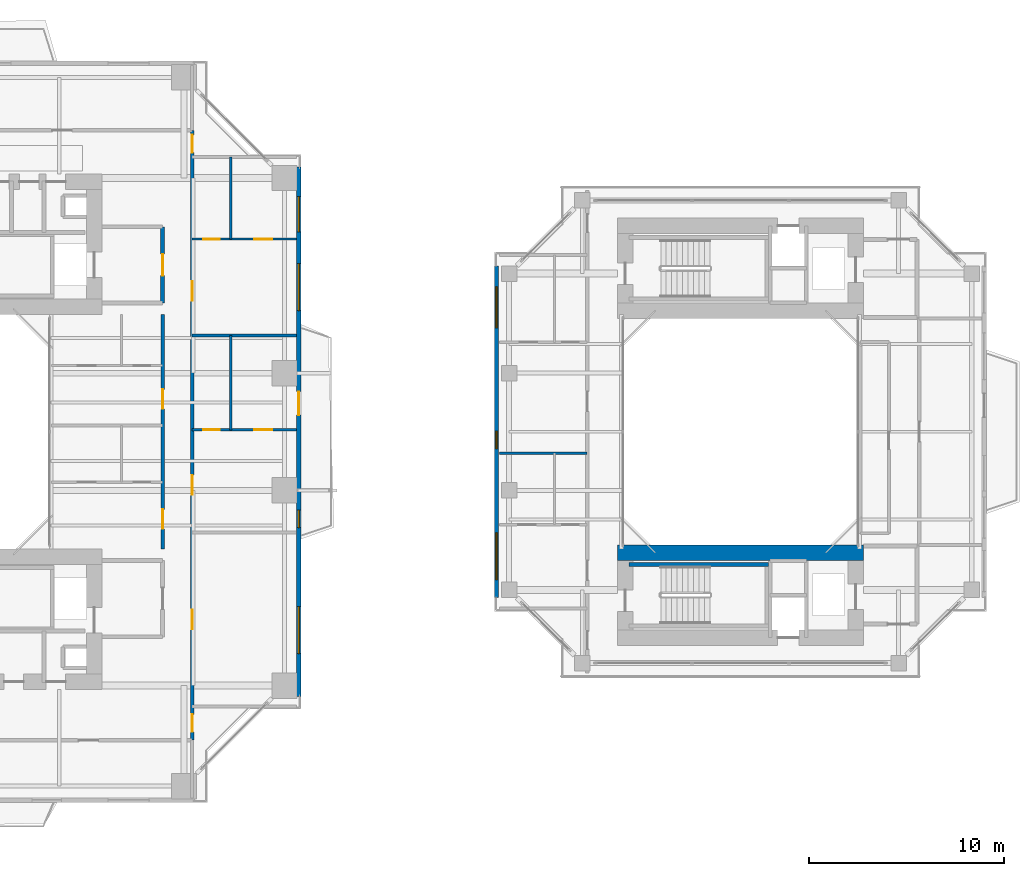
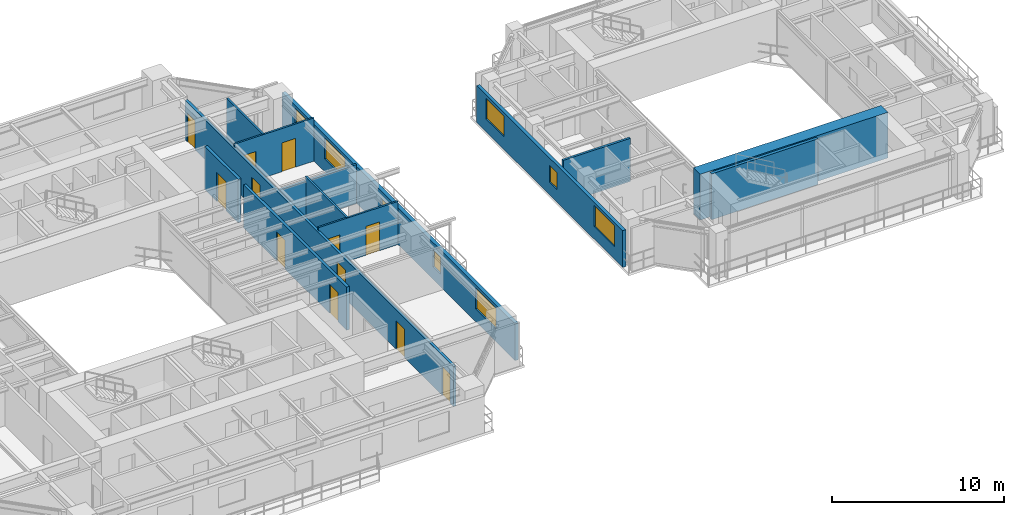
# One storey, part 16 of 23: 13 doors, 13 walls, 7 windows, 20 openings.
"""IFC4 building model written with IfcOpenShell, lengths in metres."""

from ifc_helpers import new_model, si_unit, direction, frame, frame_2d, origin, place, context, subcontext, project, spatial, rectangle, extrude, source, transform, mapped, material, layer, layer_set, type_object, element, fill, save


model = new_model("IFC4")

# Units and contexts
model_context = context("Model", 3, precision=1e-05, world=origin(), true_north=direction((0.0, 1.0)))
body_context = subcontext(model_context, "Body", "Model", "MODEL_VIEW")
ifc_project = project(units=[si_unit("LENGTHUNIT", "METRE"), si_unit("AREAUNIT", "SQUARE_METRE"), si_unit("VOLUMEUNIT", "CUBIC_METRE"), si_unit("PLANEANGLEUNIT", "RADIAN"), si_unit("MASSUNIT", "GRAM", prefix="KILO"), si_unit("THERMODYNAMICTEMPERATUREUNIT", "KELVIN"), si_unit("POWERUNIT", "WATT")], contexts=[model_context])

# Site, building, storey
site_placement = place(None, origin())
site = spatial("IfcSite", under=ifc_project, at=site_placement, CompositionType="ELEMENT")
building_placement = place(site_placement, origin())
building = spatial("IfcBuilding", under=site, at=building_placement, Name="Qiaomeng Ring Towers", CompositionType="ELEMENT")
storey_placement = place(building_placement, frame((0.0, 0.0, 79.5)))
storey = spatial("IfcBuildingStorey", under=building, at=storey_placement, Name="L22", CompositionType="ELEMENT", Elevation=79.5)

# Wall, openings, windows, door
ifc_material_1 = material(Name="Precast concrete C40", Category="concrete")
ifc_layer_1 = layer(ifc_material_1, 0.25, Name="Precast concrete C40")
ifc_layer_set_1 = layer_set([ifc_layer_1], Name="Precast concrete C40")
wall_type_1 = type_object("IfcWallType", Name="ARC-WL-EW1", PredefinedType="STANDARD", material=ifc_layer_set_1)
wall_1_placement = place(storey_placement, frame((37.875, 9.449951171875, 0.0), z_axis=(0.0, 0.0, 1.0), x_axis=(0.0, 1.0, 0.0)))
wall_1 = element("IfcWall", 1, at=wall_1_placement, inside=storey, type_object=wall_type_1, Name="L22 Tower 1 E Exterior Wall", PredefinedType="STANDARD", context=body_context, shape_type="SweptSolid", body=[
    extrude(rectangle(XDim=27.10009765625, YDim=0.25, at=frame_2d((13.550048828125, 0.0))), origin(), (0.0, 0.0, 1.0), 2.610107421875),
])
opening_1_placement = place(wall_1_placement, frame((14.39990234375, 0.0, 0.0)))
opening_1 = element("IfcOpeningElement", 2, at=opening_1_placement, cuts=wall_1, Name="Opening BD1", PredefinedType="OPENING", context=body_context, shape_type="SweptSolid", body=[
    extrude(rectangle(XDim=1.199951171875, YDim=2.10009765625, at=frame_2d((0.60009765625, 1.050048828125))), frame((0.0, 0.135009765625, 0.0), z_axis=(0.0, -1.0, 0.0), x_axis=(1.0, 0.0, 0.0)), (0.0, 0.0, 1.0), 0.27001953125),
])
opening_2_placement = place(wall_1_placement, frame((2.18798828125, 0.0, 0.89990234375)))
opening_2 = element("IfcOpeningElement", 3, at=opening_2_placement, cuts=wall_1, Name="Opening WN6", PredefinedType="OPENING", context=body_context, shape_type="SweptSolid", body=[
    extrude(rectangle(XDim=2.39990234375, YDim=1.47998046875, at=frame_2d((1.199951171875, 0.739990234375))), frame((0.0, 0.135009765625, 0.0), z_axis=(0.0, -1.0, 0.0), x_axis=(1.0, 0.0, 0.0)), (0.0, 0.0, 1.0), 0.27001953125),
])
opening_3_placement = place(wall_1_placement, frame((23.78759765625, 0.0, 0.89990234375)))
opening_3 = element("IfcOpeningElement", 4, at=opening_3_placement, cuts=wall_1, Name="Opening WN1", PredefinedType="OPENING", context=body_context, shape_type="SweptSolid", body=[
    extrude(rectangle(XDim=1.800048828125, YDim=1.5, at=frame_2d((0.89990234375, 0.75))), frame((0.0, 0.135009765625, 0.0), z_axis=(0.0, -1.0, 0.0), x_axis=(1.0, 0.0, 0.0)), (0.0, 0.0, 1.0), 0.27001953125),
])
opening_4_placement = place(wall_1_placement, frame((19.757568359375, 0.0, 0.89990234375)))
opening_4 = element("IfcOpeningElement", 5, at=opening_4_placement, cuts=wall_1, Name="Opening WN6", PredefinedType="OPENING", context=body_context, shape_type="SweptSolid", body=[
    extrude(rectangle(XDim=2.39990234375, YDim=1.5, at=frame_2d((1.199951171875, 0.75))), frame((0.0, 0.135009765625, 0.0), z_axis=(0.0, -1.0, 0.0), x_axis=(1.0, 0.0, 0.0)), (0.0, 0.0, 1.0), 0.27001953125),
])
opening_5_placement = place(wall_1_placement, frame((8.635009765625, 0.0, 0.89990234375)))
opening_5 = element("IfcOpeningElement", 6, at=opening_5_placement, cuts=wall_1, Name="Opening WN5", PredefinedType="OPENING", context=body_context, shape_type="SweptSolid", body=[
    extrude(rectangle(XDim=0.89990234375, YDim=1.199951171875, at=frame_2d((0.449951171875, 0.60009765625))), frame((0.0, 0.135009765625, 0.0), z_axis=(0.0, -1.0, 0.0), x_axis=(1.0, 0.0, 0.0)), (0.0, 0.0, 1.0), 0.27001953125),
])
ifc_material_2 = material(Name="Low-E dark-grey laminated double glazing", Category="glass")
window_type_1 = type_object("IfcWindowType", Name="ARC-WN-6", PartitioningType="TRIPLE_PANEL_VERTICAL", PredefinedType="WINDOW", material=ifc_material_2)
shared_shape_1 = source(origin(), body_context, "Body", "SweptSolid", [
    extrude(rectangle(XDim=2.39990234375, YDim=1.47998046875, at=frame_2d((1.199951171875, 0.739990234375))), frame((0.0, 0.030029296875, 0.0), z_axis=(0.0, -1.0, 0.0), x_axis=(1.0, 0.0, 0.0)), (0.0, 0.0, 1.0), 0.06005859375),
])
window_1_placement = place(opening_2_placement, origin())
window_1 = element("IfcWindow", 7, at=window_1_placement, inside=storey, type_object=window_type_1, Name="L22 Exterior Window WN6", OverallHeight=1.47998046875, OverallWidth=2.39990234375, PartitioningType="TRIPLE_PANEL_VERTICAL", PredefinedType="WINDOW", context=body_context, shape_type="MappedRepresentation", body=[
    mapped(shared_shape_1, transform((0.0, 0.0, 0.0), x_axis=(1.0, 0.0, 0.0), y_axis=(0.0, 1.0, 0.0), z_axis=(0.0, 0.0, 1.0), scale=1.0)),
])
fill(opening_2, window_1)
door_type_1 = type_object("IfcDoorType", Name="ARC-DR-BD1", OperationType="NOTDEFINED", PredefinedType="DOOR", material=ifc_material_2)
shared_shape_2 = source(origin(), body_context, "Body", "SweptSolid", [
    extrude(rectangle(XDim=1.199951171875, YDim=2.10009765625, at=frame_2d((0.60009765625, 1.050048828125))), frame((0.0, 0.02490234375, 0.0), z_axis=(0.0, -1.0, 0.0), x_axis=(1.0, 0.0, 0.0)), (0.0, 0.0, 1.0), 0.050048828125),
])
door_1_placement = place(opening_1_placement, origin())
door_1 = element("IfcDoor", 8, at=door_1_placement, inside=storey, type_object=door_type_1, Name="L22 E Balcony Glazed Door", OperationType="SINGLE_SWING_LEFT", OverallHeight=2.10009765625, OverallWidth=1.199951171875, PredefinedType="DOOR", context=body_context, shape_type="MappedRepresentation", body=[
    mapped(shared_shape_2, transform((0.0, 0.0, 0.0), x_axis=(1.0, 0.0, 0.0), y_axis=(0.0, 1.0, 0.0), z_axis=(0.0, 0.0, 1.0), scale=1.0)),
])
fill(opening_1, door_1)
shared_shape_3 = source(origin(), body_context, "Body", "SweptSolid", [
    extrude(rectangle(XDim=2.39990234375, YDim=1.5, at=frame_2d((1.199951171875, 0.75))), frame((0.0, 0.030029296875, 0.0), z_axis=(0.0, -1.0, 0.0), x_axis=(1.0, 0.0, 0.0)), (0.0, 0.0, 1.0), 0.06005859375),
])
window_2_placement = place(opening_4_placement, origin())
window_2 = element("IfcWindow", 9, at=window_2_placement, inside=storey, type_object=window_type_1, Name="L22 Exterior Window WN6", OverallHeight=1.5, OverallWidth=2.39990234375, PartitioningType="TRIPLE_PANEL_VERTICAL", PredefinedType="WINDOW", context=body_context, shape_type="MappedRepresentation", body=[
    mapped(shared_shape_3, transform((0.0, 0.0, 0.0), x_axis=(1.0, 0.0, 0.0), y_axis=(0.0, 1.0, 0.0), z_axis=(0.0, 0.0, 1.0), scale=1.0)),
])
fill(opening_4, window_2)
window_type_2 = type_object("IfcWindowType", Name="ARC-WN-1", PartitioningType="DOUBLE_PANEL_VERTICAL", PredefinedType="WINDOW", material=ifc_material_2)
shared_shape_4 = source(origin(), body_context, "Body", "SweptSolid", [
    extrude(rectangle(XDim=1.800048828125, YDim=1.5, at=frame_2d((0.89990234375, 0.75))), frame((0.0, 0.030029296875, 0.0), z_axis=(0.0, -1.0, 0.0), x_axis=(1.0, 0.0, 0.0)), (0.0, 0.0, 1.0), 0.06005859375),
])
window_3_placement = place(opening_3_placement, origin())
window_3 = element("IfcWindow", 10, at=window_3_placement, inside=storey, type_object=window_type_2, Name="L22 Exterior Window WN4", OverallHeight=1.5, OverallWidth=1.800048828125, PartitioningType="TRIPLE_PANEL_VERTICAL", PredefinedType="WINDOW", context=body_context, shape_type="MappedRepresentation", body=[
    mapped(shared_shape_4, transform((0.0, 0.0, 0.0), x_axis=(1.0, 0.0, 0.0), y_axis=(0.0, 1.0, 0.0), z_axis=(0.0, 0.0, 1.0), scale=1.0)),
])
fill(opening_3, window_3)
window_type_3 = type_object("IfcWindowType", Name="ARC-WN-5", PartitioningType="SINGLE_PANEL", PredefinedType="WINDOW", material=ifc_material_2)
shared_shape_5 = source(origin(), body_context, "Body", "SweptSolid", [
    extrude(rectangle(XDim=0.89990234375, YDim=1.199951171875, at=frame_2d((0.449951171875, 0.60009765625))), frame((0.0, 0.030029296875, 0.0), z_axis=(0.0, -1.0, 0.0), x_axis=(1.0, 0.0, 0.0)), (0.0, 0.0, 1.0), 0.06005859375),
])
window_4_placement = place(opening_5_placement, origin())
window_4 = element("IfcWindow", 11, at=window_4_placement, inside=storey, type_object=window_type_3, Name="L22 Exterior Window WN5", OverallHeight=1.199951171875, OverallWidth=0.89990234375, PartitioningType="SINGLE_PANEL", PredefinedType="WINDOW", context=body_context, shape_type="MappedRepresentation", body=[
    mapped(shared_shape_5, transform((0.0, 0.0, 0.0), x_axis=(1.0, 0.0, 0.0), y_axis=(0.0, 1.0, 0.0), z_axis=(0.0, 0.0, 1.0), scale=1.0)),
])
fill(opening_5, window_4)

# Wall, openings, windows
ifc_layer_2 = layer(ifc_material_1, 0.219970703125, Name="Precast concrete C40")
ifc_layer_set_2 = layer_set([ifc_layer_2], Name="Precast concrete C40")
wall_type_2 = type_object("IfcWallType", Name="ARC-WL-EW2", PredefinedType="STANDARD", material=ifc_layer_set_2)
wall_2_placement = place(storey_placement, frame((48.010009765625, 14.5, 0.0), z_axis=(0.0, 0.0, 1.0), x_axis=(0.0, 1.0, 0.0)))
wall_2 = element("IfcWall", 12, at=wall_2_placement, inside=storey, type_object=wall_type_2, Name="L22 Companion West Wall", PredefinedType="STANDARD", context=body_context, shape_type="SweptSolid", body=[
    extrude(rectangle(XDim=17.0, YDim=0.219970703125, at=frame_2d((8.5, 0.0))), origin(), (0.0, 0.0, 1.0), 2.610107421875),
])
opening_6_placement = place(wall_2_placement, frame((0.925048828125, 0.0, 0.89990234375)))
opening_6 = element("IfcOpeningElement", 13, at=opening_6_placement, cuts=wall_2, Name="Opening WN6", PredefinedType="OPENING", context=body_context, shape_type="SweptSolid", body=[
    extrude(rectangle(XDim=2.39990234375, YDim=1.47998046875, at=frame_2d((1.199951171875, 0.739990234375))), frame((0.0, 0.119873046875, 0.0), z_axis=(0.0, -1.0, 0.0), x_axis=(1.0, 0.0, 0.0)), (0.0, 0.0, 1.0), 0.239990234375),
])
opening_7_placement = place(wall_2_placement, frame((13.824951171875, 0.0, 0.89990234375)))
opening_7 = element("IfcOpeningElement", 14, at=opening_7_placement, cuts=wall_2, Name="Opening WN4", PredefinedType="OPENING", context=body_context, shape_type="SweptSolid", body=[
    extrude(rectangle(XDim=2.10009765625, YDim=1.47998046875, at=frame_2d((1.050048828125, 0.739990234375))), frame((0.0, 0.119873046875, 0.0), z_axis=(0.0, -1.0, 0.0), x_axis=(1.0, 0.0, 0.0)), (0.0, 0.0, 1.0), 0.239990234375),
])
opening_8_placement = place(wall_2_placement, frame((7.635009765625, 0.0, 0.89990234375)))
opening_8 = element("IfcOpeningElement", 15, at=opening_8_placement, cuts=wall_2, Name="Opening WN5", PredefinedType="OPENING", context=body_context, shape_type="SweptSolid", body=[
    extrude(rectangle(XDim=0.89990234375, YDim=1.199951171875, at=frame_2d((0.449951171875, 0.60009765625))), frame((0.0, 0.119873046875, 0.0), z_axis=(0.0, -1.0, 0.0), x_axis=(1.0, 0.0, 0.0)), (0.0, 0.0, 1.0), 0.239990234375),
])
window_type_4 = type_object("IfcWindowType", Name="ARC-WN-4", PartitioningType="TRIPLE_PANEL_VERTICAL", PredefinedType="WINDOW", material=ifc_material_2)
shared_shape_6 = source(origin(), body_context, "Body", "SweptSolid", [
    extrude(rectangle(XDim=2.10009765625, YDim=1.47998046875, at=frame_2d((1.050048828125, 0.739990234375))), frame((0.0, 0.030029296875, 0.0), z_axis=(0.0, -1.0, 0.0), x_axis=(1.0, 0.0, 0.0)), (0.0, 0.0, 1.0), 0.06005859375),
])
window_5_placement = place(opening_7_placement, origin())
window_5 = element("IfcWindow", 16, at=window_5_placement, inside=storey, type_object=window_type_4, Name="L22 Exterior Window WN4", OverallHeight=1.47998046875, OverallWidth=2.10009765625, PartitioningType="TRIPLE_PANEL_VERTICAL", PredefinedType="WINDOW", context=body_context, shape_type="MappedRepresentation", body=[
    mapped(shared_shape_6, transform((0.0, 0.0, 0.0), x_axis=(1.0, 0.0, 0.0), y_axis=(0.0, 1.0, 0.0), z_axis=(0.0, 0.0, 1.0), scale=1.0)),
])
fill(opening_7, window_5)
window_6_placement = place(opening_6_placement, origin())
window_6 = element("IfcWindow", 17, at=window_6_placement, inside=storey, type_object=window_type_1, Name="L22 Exterior Window WN6", OverallHeight=1.47998046875, OverallWidth=2.39990234375, PartitioningType="TRIPLE_PANEL_VERTICAL", PredefinedType="WINDOW", context=body_context, shape_type="MappedRepresentation", body=[
    mapped(shared_shape_1, transform((0.0, 0.0, 0.0), x_axis=(1.0, 0.0, 0.0), y_axis=(0.0, 1.0, 0.0), z_axis=(0.0, 0.0, 1.0), scale=1.0)),
])
fill(opening_6, window_6)
window_7_placement = place(opening_8_placement, origin())
window_7 = element("IfcWindow", 18, at=window_7_placement, inside=storey, type_object=window_type_3, Name="L22 Exterior Window WN5", OverallHeight=1.199951171875, OverallWidth=0.89990234375, PartitioningType="SINGLE_PANEL", PredefinedType="WINDOW", context=body_context, shape_type="MappedRepresentation", body=[
    mapped(shared_shape_5, transform((0.0, 0.0, 0.0), x_axis=(1.0, 0.0, 0.0), y_axis=(0.0, 1.0, 0.0), z_axis=(0.0, 0.0, 1.0), scale=1.0)),
])
fill(opening_8, window_7)

# Wall, opening, door
ifc_material_3 = material(Name="Autoclaved aerated concrete block", Category="concrete")
ifc_layer_3 = layer(ifc_material_3, 0.199951171875, Name="Autoclaved aerated concrete block")
ifc_layer_set_3 = layer_set([ifc_layer_3], Name="Autoclaved aerated concrete block")
wall_type_3 = type_object("IfcWallType", Name="ARC-WL-PW1", PredefinedType="PARTITIONING", material=ifc_layer_set_3)
wall_3_placement = place(storey_placement, frame((30.89990234375, 29.60009765625, 0.0), z_axis=(0.0, 0.0, 1.0), x_axis=(0.0, 1.0, 0.0)))
wall_3 = element("IfcWall", 19, at=wall_3_placement, inside=storey, type_object=wall_type_3, Name="L22 Interior Wall PW1", PredefinedType="PARTITIONING", context=body_context, shape_type="SweptSolid", body=[
    extrude(rectangle(XDim=3.89990234375, YDim=0.199951171875, at=frame_2d((1.949951171875, 0.0))), origin(), (0.0, 0.0, 1.0), 3.070068359375),
])
opening_9_placement = place(wall_3_placement, frame((1.39990234375, 0.0, 0.0)))
opening_9 = element("IfcOpeningElement", 20, at=opening_9_placement, cuts=wall_3, Name="Opening FD3", PredefinedType="OPENING", context=body_context, shape_type="SweptSolid", body=[
    extrude(rectangle(XDim=1.10009765625, YDim=2.050048828125, at=frame_2d((0.550048828125, 1.02490234375))), frame((0.0, 0.10986328125, 0.0), z_axis=(0.0, -1.0, 0.0), x_axis=(1.0, 0.0, 0.0)), (0.0, 0.0, 1.0), 0.219970703125),
])
ifc_material_4 = material(Name="Galvanised steel", Category="steel")
door_type_2 = type_object("IfcDoorType", Name="ARC-DR-FD3", OperationType="NOTDEFINED", PredefinedType="DOOR", material=ifc_material_4)
shared_shape_7 = source(origin(), body_context, "Body", "SweptSolid", [
    extrude(rectangle(XDim=1.10009765625, YDim=2.050048828125, at=frame_2d((0.550048828125, 1.02490234375))), frame((0.0, 0.02490234375, 0.0), z_axis=(0.0, -1.0, 0.0), x_axis=(1.0, 0.0, 0.0)), (0.0, 0.0, 1.0), 0.050048828125),
])
door_2_placement = place(opening_9_placement, origin())
door_2 = element("IfcDoor", 21, at=door_2_placement, inside=storey, type_object=door_type_2, Name="L22 North FF Lobby Door", OperationType="SINGLE_SWING_RIGHT", OverallHeight=2.050048828125, OverallWidth=1.10009765625, PredefinedType="DOOR", context=body_context, shape_type="MappedRepresentation", body=[
    mapped(shared_shape_7, transform((0.0, 0.0, 0.0), x_axis=(1.0, 0.0, 0.0), y_axis=(0.0, 1.0, 0.0), z_axis=(0.0, 0.0, 1.0), scale=1.0)),
])
fill(opening_9, door_2)

# Wall, openings, doors
ifc_layer_4 = layer(ifc_material_3, 0.179931640625, Name="Autoclaved aerated concrete block")
ifc_layer_set_4 = layer_set([ifc_layer_4], Name="Autoclaved aerated concrete block")
wall_type_4 = type_object("IfcWallType", Name="ARC-WL-PW2", PredefinedType="PARTITIONING", material=ifc_layer_set_4)
wall_4_placement = place(storey_placement, frame((32.419921875, 7.2099609375, 0.0), z_axis=(0.0, 0.0, 1.0), x_axis=(0.0, 1.0, 0.0)))
wall_4 = element("IfcWall", 22, at=wall_4_placement, inside=storey, type_object=wall_type_4, Name="L22 Interior Wall PW2", PredefinedType="PARTITIONING", context=body_context, shape_type="SweptSolid", body=[
    extrude(rectangle(XDim=31.22998046875, YDim=0.179931640625, at=frame_2d((15.614990234375, 0.0))), origin(), (0.0, 0.0, 1.0), 2.821044921875),
])
opening_10_placement = place(wall_4_placement, frame((30.090087890625, 0.0, 0.0)))
opening_10 = element("IfcOpeningElement", 23, at=opening_10_placement, cuts=wall_4, Name="Opening ID1", PredefinedType="OPENING", context=body_context, shape_type="SweptSolid", body=[
    extrude(rectangle(XDim=0.89990234375, YDim=2.050048828125, at=frame_2d((0.449951171875, 1.02490234375))), frame((0.0, 0.099853515625, 0.0), z_axis=(0.0, -1.0, 0.0), x_axis=(1.0, 0.0, 0.0)), (0.0, 0.0, 1.0), 0.199951171875),
])
opening_11_placement = place(wall_4_placement, frame((0.4150390625, 0.0, 0.0)))
opening_11 = element("IfcOpeningElement", 24, at=opening_11_placement, cuts=wall_4, Name="Opening ID1", PredefinedType="OPENING", context=body_context, shape_type="SweptSolid", body=[
    extrude(rectangle(XDim=0.89990234375, YDim=2.050048828125, at=frame_2d((0.449951171875, 1.02490234375))), frame((0.0, 0.099853515625, 0.0), z_axis=(0.0, -1.0, 0.0), x_axis=(1.0, 0.0, 0.0)), (0.0, 0.0, 1.0), 0.199951171875),
])
opening_12_placement = place(wall_4_placement, frame((5.675048828125, 0.0, 0.0)))
opening_12 = element("IfcOpeningElement", 25, at=opening_12_placement, cuts=wall_4, Name="Opening FD4", PredefinedType="OPENING", context=body_context, shape_type="SweptSolid", body=[
    extrude(rectangle(XDim=1.0, YDim=2.050048828125, at=frame_2d((0.5, 1.02490234375))), frame((0.0, 0.099853515625, 0.0), z_axis=(0.0, -1.0, 0.0), x_axis=(1.0, 0.0, 0.0)), (0.0, 0.0, 1.0), 0.199951171875),
])
opening_13_placement = place(wall_4_placement, frame((12.574951171875, 0.0, 0.0)))
opening_13 = element("IfcOpeningElement", 26, at=opening_13_placement, cuts=wall_4, Name="Opening FD4", PredefinedType="OPENING", context=body_context, shape_type="SweptSolid", body=[
    extrude(rectangle(XDim=1.0, YDim=2.050048828125, at=frame_2d((0.5, 1.02490234375))), frame((0.0, 0.099853515625, 0.0), z_axis=(0.0, -1.0, 0.0), x_axis=(1.0, 0.0, 0.0)), (0.0, 0.0, 1.0), 0.199951171875),
])
opening_14_placement = place(wall_4_placement, frame((22.5, 0.0, 0.0)))
opening_14 = element("IfcOpeningElement", 27, at=opening_14_placement, cuts=wall_4, Name="Opening FD4", PredefinedType="OPENING", context=body_context, shape_type="SweptSolid", body=[
    extrude(rectangle(XDim=1.0, YDim=2.050048828125, at=frame_2d((0.5, 1.02490234375))), frame((0.0, 0.099853515625, 0.0), z_axis=(0.0, -1.0, 0.0), x_axis=(1.0, 0.0, 0.0)), (0.0, 0.0, 1.0), 0.199951171875),
])
ifc_material_5 = material(Name="Engineered fire-rated oak timber", Category="wood")
door_type_3 = type_object("IfcDoorType", Name="ARC-DR-FD4", OperationType="NOTDEFINED", PredefinedType="DOOR", material=ifc_material_5)
shared_shape_8 = source(origin(), body_context, "Body", "SweptSolid", [
    extrude(rectangle(XDim=1.0, YDim=2.050048828125, at=frame_2d((0.5, 1.02490234375))), frame((0.0, 0.02490234375, 0.0), z_axis=(0.0, -1.0, 0.0), x_axis=(1.0, 0.0, 0.0)), (0.0, 0.0, 1.0), 0.050048828125),
])
door_3_placement = place(opening_12_placement, origin())
door_3 = element("IfcDoor", 28, at=door_3_placement, inside=storey, type_object=door_type_3, Name="L22 Door FD4", OperationType="SINGLE_SWING_RIGHT", OverallHeight=2.050048828125, OverallWidth=1.0, PredefinedType="DOOR", context=body_context, shape_type="MappedRepresentation", body=[
    mapped(shared_shape_8, transform((0.0, 0.0, 0.0), x_axis=(1.0, 0.0, 0.0), y_axis=(0.0, 1.0, 0.0), z_axis=(0.0, 0.0, 1.0), scale=1.0)),
])
fill(opening_12, door_3)
door_4_placement = place(opening_13_placement, origin())
door_4 = element("IfcDoor", 29, at=door_4_placement, inside=storey, type_object=door_type_3, Name="L22 Door FD4", OperationType="SINGLE_SWING_LEFT", OverallHeight=2.050048828125, OverallWidth=1.0, PredefinedType="DOOR", context=body_context, shape_type="MappedRepresentation", body=[
    mapped(shared_shape_8, transform((0.0, 0.0, 0.0), x_axis=(1.0, 0.0, 0.0), y_axis=(0.0, 1.0, 0.0), z_axis=(0.0, 0.0, 1.0), scale=1.0)),
])
fill(opening_13, door_4)
door_5_placement = place(opening_14_placement, origin())
door_5 = element("IfcDoor", 30, at=door_5_placement, inside=storey, type_object=door_type_3, Name="L22 Door FD4", OperationType="SINGLE_SWING_RIGHT", OverallHeight=2.050048828125, OverallWidth=1.0, PredefinedType="DOOR", context=body_context, shape_type="MappedRepresentation", body=[
    mapped(shared_shape_8, transform((0.0, 0.0, 0.0), x_axis=(1.0, 0.0, 0.0), y_axis=(0.0, 1.0, 0.0), z_axis=(0.0, 0.0, 1.0), scale=1.0)),
])
fill(opening_14, door_5)
ifc_material_6 = material(Name="Engineered oak timber", Category="wood")
door_type_4 = type_object("IfcDoorType", Name="ARC-DR-ID1", OperationType="NOTDEFINED", PredefinedType="DOOR", material=ifc_material_6)
shared_shape_9 = source(origin(), body_context, "Body", "SweptSolid", [
    extrude(rectangle(XDim=0.89990234375, YDim=2.050048828125, at=frame_2d((0.449951171875, 1.02490234375))), frame((0.0, 0.02490234375, 0.0), z_axis=(0.0, -1.0, 0.0), x_axis=(1.0, 0.0, 0.0)), (0.0, 0.0, 1.0), 0.050048828125),
])
door_6_placement = place(opening_10_placement, origin())
door_6 = element("IfcDoor", 31, at=door_6_placement, inside=storey, type_object=door_type_4, Name="L22 Door ID1", OperationType="SINGLE_SWING_RIGHT", OverallHeight=2.050048828125, OverallWidth=0.89990234375, PredefinedType="DOOR", context=body_context, shape_type="MappedRepresentation", body=[
    mapped(shared_shape_9, transform((0.0, 0.0, 0.0), x_axis=(1.0, 0.0, 0.0), y_axis=(0.0, 1.0, 0.0), z_axis=(0.0, 0.0, 1.0), scale=1.0)),
])
fill(opening_10, door_6)
door_7_placement = place(opening_11_placement, origin())
door_7 = element("IfcDoor", 32, at=door_7_placement, inside=storey, type_object=door_type_4, Name="L22 Door ID1", OperationType="SINGLE_SWING_LEFT", OverallHeight=2.050048828125, OverallWidth=0.89990234375, PredefinedType="DOOR", context=body_context, shape_type="MappedRepresentation", body=[
    mapped(shared_shape_9, transform((0.0, 0.0, 0.0), x_axis=(1.0, 0.0, 0.0), y_axis=(0.0, 1.0, 0.0), z_axis=(0.0, 0.0, 1.0), scale=1.0)),
])
fill(opening_11, door_7)

wall_5_placement = place(storey_placement, frame((30.89990234375, 17.0, 0.0), z_axis=(0.0, 0.0, 1.0), x_axis=(0.0, 1.0, 0.0)))
wall_5 = element("IfcWall", 33, at=wall_5_placement, inside=storey, type_object=wall_type_4, Name="L22 Interior Wall PW2", PredefinedType="PARTITIONING", context=body_context, shape_type="SweptSolid", body=[
    extrude(rectangle(XDim=12.0, YDim=0.179931640625, at=frame_2d((6.0, 0.0))), origin(), (0.0, 0.0, 1.0), 3.070068359375),
])
opening_15_placement = place(wall_5_placement, frame((1.02001953125, 0.0, 0.0)))
opening_15 = element("IfcOpeningElement", 34, at=opening_15_placement, cuts=wall_5, Name="Opening FD4", PredefinedType="OPENING", context=body_context, shape_type="SweptSolid", body=[
    extrude(rectangle(XDim=1.0, YDim=2.050048828125, at=frame_2d((0.5, 1.02490234375))), frame((0.0, 0.099853515625, 0.0), z_axis=(0.0, -1.0, 0.0), x_axis=(1.0, 0.0, 0.0)), (0.0, 0.0, 1.0), 0.199951171875),
])
opening_16_placement = place(wall_5_placement, frame((7.169921875, 0.0, 0.0)))
opening_16 = element("IfcOpeningElement", 35, at=opening_16_placement, cuts=wall_5, Name="Opening FD4", PredefinedType="OPENING", context=body_context, shape_type="SweptSolid", body=[
    extrude(rectangle(XDim=1.0, YDim=2.050048828125, at=frame_2d((0.5, 1.02490234375))), frame((0.0, 0.099853515625, 0.0), z_axis=(0.0, -1.0, 0.0), x_axis=(1.0, 0.0, 0.0)), (0.0, 0.0, 1.0), 0.199951171875),
])
door_8_placement = place(opening_15_placement, origin())
door_8 = element("IfcDoor", 36, at=door_8_placement, inside=storey, type_object=door_type_3, Name="L22 Door FD4", OperationType="SINGLE_SWING_LEFT", OverallHeight=2.050048828125, OverallWidth=1.0, PredefinedType="DOOR", context=body_context, shape_type="MappedRepresentation", body=[
    mapped(shared_shape_8, transform((0.0, 0.0, 0.0), x_axis=(1.0, 0.0, 0.0), y_axis=(0.0, 1.0, 0.0), z_axis=(0.0, 0.0, 1.0), scale=1.0)),
])
fill(opening_15, door_8)
door_9_placement = place(opening_16_placement, origin())
door_9 = element("IfcDoor", 37, at=door_9_placement, inside=storey, type_object=door_type_3, Name="L22 Door FD4", OperationType="SINGLE_SWING_RIGHT", OverallHeight=2.050048828125, OverallWidth=1.0, PredefinedType="DOOR", context=body_context, shape_type="MappedRepresentation", body=[
    mapped(shared_shape_8, transform((0.0, 0.0, 0.0), x_axis=(1.0, 0.0, 0.0), y_axis=(0.0, 1.0, 0.0), z_axis=(0.0, 0.0, 1.0), scale=1.0)),
])
fill(opening_16, door_9)

# Walls
ifc_material_7 = material(Name="Gypsum fireboard steel-stud partition", Category="steel")
ifc_layer_5 = layer(ifc_material_7, 0.14990234375, Name="Gypsum fireboard steel-stud partition")
ifc_layer_set_5 = layer_set([ifc_layer_5], Name="Gypsum fireboard steel-stud partition")
wall_type_5 = type_object("IfcWallType", Name="ARC-WL-PW3", PredefinedType="PARTITIONING", material=ifc_layer_set_5)
wall_6_placement = place(storey_placement, frame((32.419921875, 27.929931640625, 0.0), z_axis=(0.0, 0.0, 1.0), x_axis=(1.0, 0.0, 0.0)))
element("IfcWall", 38, at=wall_6_placement, inside=storey, type_object=wall_type_5, Name="L22 Interior Wall PW3", PredefinedType="PARTITIONING", context=body_context, shape_type="SweptSolid", body=[
    extrude(rectangle(XDim=5.330078125, YDim=0.14990234375, at=frame_2d((2.6650390625, 0.0))), origin(), (0.0, 0.0, 1.0), 2.764892578125),
])
wall_7_placement = place(storey_placement, frame((48.14990234375, 21.89990234375, 0.0), z_axis=(0.0, 0.0, 1.0), x_axis=(1.0, 0.0, 0.0)))
element("IfcWall", 39, at=wall_7_placement, inside=storey, type_object=wall_type_5, Name="L22 Interior Wall PW3", PredefinedType="PARTITIONING", context=body_context, shape_type="SweptSolid", body=[
    extrude(rectangle(XDim=4.5, YDim=0.14990234375, at=frame_2d((2.25, 0.0))), origin(), (0.0, 0.0, 1.0), 3.070068359375),
])

# Wall, openings, doors
ifc_material_8 = material(Name="Moisture-resistant gypsum steel-stud partition", Category="steel")
ifc_layer_6 = layer(ifc_material_8, 0.1201171875, Name="Moisture-resistant gypsum steel-stud partition")
ifc_layer_set_6 = layer_set([ifc_layer_6], Name="Moisture-resistant gypsum steel-stud partition")
wall_type_6 = type_object("IfcWallType", Name="ARC-WL-PW4", PredefinedType="PLUMBINGWALL", material=ifc_layer_set_6)
wall_8_placement = place(storey_placement, frame((32.419921875, 23.10009765625, 0.0), z_axis=(0.0, 0.0, 1.0), x_axis=(1.0, 0.0, 0.0)))
wall_8 = element("IfcWall", 40, at=wall_8_placement, inside=storey, type_object=wall_type_6, Name="L22 Interior Wall PW4", PredefinedType="PLUMBINGWALL", context=body_context, shape_type="SweptSolid", body=[
    extrude(rectangle(XDim=5.330078125, YDim=0.1201171875, at=frame_2d((2.6650390625, 0.0))), origin(), (0.0, 0.0, 1.0), 3.070068359375),
])
opening_17_placement = place(wall_8_placement, frame((0.570068359375, 0.0, 0.0)))
opening_17 = element("IfcOpeningElement", 41, at=opening_17_placement, cuts=wall_8, Name="Opening ID2", PredefinedType="OPENING", context=body_context, shape_type="SweptSolid", body=[
    extrude(rectangle(XDim=0.85009765625, YDim=2.050048828125, at=frame_2d((0.425048828125, 1.02490234375))), frame((0.0, 0.070068359375, 0.0), z_axis=(0.0, -1.0, 0.0), x_axis=(1.0, 0.0, 0.0)), (0.0, 0.0, 1.0), 0.14013671875),
])
opening_18_placement = place(wall_8_placement, frame((3.18994140625, 0.0, 0.0)))
opening_18 = element("IfcOpeningElement", 42, at=opening_18_placement, cuts=wall_8, Name="Opening ID1", PredefinedType="OPENING", context=body_context, shape_type="SweptSolid", body=[
    extrude(rectangle(XDim=0.89990234375, YDim=2.050048828125, at=frame_2d((0.449951171875, 1.02490234375))), frame((0.0, 0.070068359375, 0.0), z_axis=(0.0, -1.0, 0.0), x_axis=(1.0, 0.0, 0.0)), (0.0, 0.0, 1.0), 0.14013671875),
])
ifc_material_9 = material(Name="Moisture-resistant engineered timber", Category="wood")
door_type_5 = type_object("IfcDoorType", Name="ARC-DR-ID2", OperationType="NOTDEFINED", PredefinedType="DOOR", material=ifc_material_9)
shared_shape_10 = source(origin(), body_context, "Body", "SweptSolid", [
    extrude(rectangle(XDim=0.85009765625, YDim=2.050048828125, at=frame_2d((0.425048828125, 1.02490234375))), frame((0.0, 0.02490234375, 0.0), z_axis=(0.0, -1.0, 0.0), x_axis=(1.0, 0.0, 0.0)), (0.0, 0.0, 1.0), 0.050048828125),
])
door_10_placement = place(opening_17_placement, origin())
door_10 = element("IfcDoor", 43, at=door_10_placement, inside=storey, type_object=door_type_5, Name="L22 Door ID2", OperationType="SINGLE_SWING_LEFT", OverallHeight=2.050048828125, OverallWidth=0.85009765625, PredefinedType="DOOR", context=body_context, shape_type="MappedRepresentation", body=[
    mapped(shared_shape_10, transform((0.0, 0.0, 0.0), x_axis=(1.0, 0.0, 0.0), y_axis=(0.0, 1.0, 0.0), z_axis=(0.0, 0.0, 1.0), scale=1.0)),
])
fill(opening_17, door_10)
door_11_placement = place(opening_18_placement, origin())
door_11 = element("IfcDoor", 44, at=door_11_placement, inside=storey, type_object=door_type_4, Name="L22 Door ID1", OperationType="SINGLE_SWING_RIGHT", OverallHeight=2.050048828125, OverallWidth=0.89990234375, PredefinedType="DOOR", context=body_context, shape_type="MappedRepresentation", body=[
    mapped(shared_shape_9, transform((0.0, 0.0, 0.0), x_axis=(1.0, 0.0, 0.0), y_axis=(0.0, 1.0, 0.0), z_axis=(0.0, 0.0, 1.0), scale=1.0)),
])
fill(opening_18, door_11)

# Wall
wall_9_placement = place(storey_placement, frame((34.389892578125, 23.10009765625, 0.0), z_axis=(0.0, 0.0, 1.0), x_axis=(0.0, 1.0, 0.0)))
element("IfcWall", 45, at=wall_9_placement, inside=storey, type_object=wall_type_6, Name="L22 Interior Wall PW4", PredefinedType="PLUMBINGWALL", context=body_context, shape_type="SweptSolid", body=[
    extrude(rectangle(XDim=4.829833984375, YDim=0.1201171875, at=frame_2d((2.4150390625, 0.0))), origin(), (0.0, 0.0, 1.0), 3.070068359375),
])

# Wall, openings, doors
wall_10_placement = place(storey_placement, frame((32.419921875, 32.8701171875, 0.0), z_axis=(0.0, 0.0, 1.0), x_axis=(1.0, 0.0, 0.0)))
wall_10 = element("IfcWall", 46, at=wall_10_placement, inside=storey, type_object=wall_type_6, Name="L22 Interior Wall PW4", PredefinedType="PLUMBINGWALL", context=body_context, shape_type="SweptSolid", body=[
    extrude(rectangle(XDim=5.330078125, YDim=0.1201171875, at=frame_2d((2.6650390625, 0.0))), origin(), (0.0, 0.0, 1.0), 3.070068359375),
])
opening_19_placement = place(wall_10_placement, frame((0.570068359375, 0.0, 0.0)))
opening_19 = element("IfcOpeningElement", 47, at=opening_19_placement, cuts=wall_10, Name="Opening ID2", PredefinedType="OPENING", context=body_context, shape_type="SweptSolid", body=[
    extrude(rectangle(XDim=0.85009765625, YDim=2.050048828125, at=frame_2d((0.425048828125, 1.02490234375))), frame((0.0, 0.070068359375, 0.0), z_axis=(0.0, -1.0, 0.0), x_axis=(1.0, 0.0, 0.0)), (0.0, 0.0, 1.0), 0.14013671875),
])
opening_20_placement = place(wall_10_placement, frame((3.18994140625, 0.0, 0.0)))
opening_20 = element("IfcOpeningElement", 48, at=opening_20_placement, cuts=wall_10, Name="Opening ID1", PredefinedType="OPENING", context=body_context, shape_type="SweptSolid", body=[
    extrude(rectangle(XDim=0.89990234375, YDim=2.050048828125, at=frame_2d((0.449951171875, 1.02490234375))), frame((0.0, 0.070068359375, 0.0), z_axis=(0.0, -1.0, 0.0), x_axis=(1.0, 0.0, 0.0)), (0.0, 0.0, 1.0), 0.14013671875),
])
door_12_placement = place(opening_19_placement, origin())
door_12 = element("IfcDoor", 49, at=door_12_placement, inside=storey, type_object=door_type_5, Name="L22 Door ID2", OperationType="SINGLE_SWING_RIGHT", OverallHeight=2.050048828125, OverallWidth=0.85009765625, PredefinedType="DOOR", context=body_context, shape_type="MappedRepresentation", body=[
    mapped(shared_shape_10, transform((0.0, 0.0, 0.0), x_axis=(1.0, 0.0, 0.0), y_axis=(0.0, 1.0, 0.0), z_axis=(0.0, 0.0, 1.0), scale=1.0)),
])
fill(opening_19, door_12)
door_13_placement = place(opening_20_placement, origin())
door_13 = element("IfcDoor", 50, at=door_13_placement, inside=storey, type_object=door_type_4, Name="L22 Door ID1", OperationType="SINGLE_SWING_LEFT", OverallHeight=2.050048828125, OverallWidth=0.89990234375, PredefinedType="DOOR", context=body_context, shape_type="MappedRepresentation", body=[
    mapped(shared_shape_9, transform((0.0, 0.0, 0.0), x_axis=(1.0, 0.0, 0.0), y_axis=(0.0, 1.0, 0.0), z_axis=(0.0, 0.0, 1.0), scale=1.0)),
])
fill(opening_20, door_13)

# Walls
wall_11_placement = place(storey_placement, frame((34.389892578125, 32.8701171875, 0.0), z_axis=(0.0, 0.0, 1.0), x_axis=(0.0, 1.0, 0.0)))
element("IfcWall", 51, at=wall_11_placement, inside=storey, type_object=wall_type_6, Name="L22 Interior Wall PW4", PredefinedType="PLUMBINGWALL", context=body_context, shape_type="SweptSolid", body=[
    extrude(rectangle(XDim=4.2099609375, YDim=0.1201171875, at=frame_2d((2.10498046875, 0.0))), origin(), (0.0, 0.0, 1.0), 3.070068359375),
])
ifc_material_10 = material(Name="Concrete C40", Category="concrete")
ifc_layer_7 = layer(ifc_material_10, 0.199951171875, Name="Concrete C40")
ifc_layer_set_7 = layer_set([ifc_layer_7], Name="Concrete C40")
wall_type_7 = type_object("IfcWallType", Name="STR-WL-STSHAFT", PredefinedType="SHEAR", material=ifc_layer_set_7)
wall_12_placement = place(storey_placement, frame((54.800048828125, 16.199951171875, 0.0), z_axis=(0.0, 0.0, 1.0), x_axis=(1.0, 0.0, 0.0)))
element("IfcWall", 52, at=wall_12_placement, inside=storey, type_object=wall_type_7, Name="L22 Stair ST6 North Shaft Shear Wall", PredefinedType="SHEAR", context=body_context, shape_type="SweptSolid", body=[
    extrude(rectangle(XDim=7.14990234375, YDim=0.199951171875, at=frame_2d((3.574951171875, 0.0))), origin(), (0.0, 0.0, 1.0), 3.25),
])
ifc_material_11 = material(Name="Concrete C60", Category="concrete")
ifc_layer_8 = layer(ifc_material_11, 0.800048828125, Name="Concrete C60")
ifc_layer_set_8 = layer_set([ifc_layer_8], Name="Concrete C60")
wall_type_8 = type_object("IfcWallType", Name="STR-WL-SW1", PredefinedType="SHEAR", material=ifc_layer_set_8)
wall_13_placement = place(storey_placement, frame((54.199951171875, 16.800048828125, 0.0), z_axis=(0.0, 0.0, 1.0), x_axis=(1.0, 0.0, 0.0)))
element("IfcWall", 53, at=wall_13_placement, inside=storey, type_object=wall_type_8, Name="L22 T2SC north core shear wall", PredefinedType="SHEAR", context=body_context, shape_type="SweptSolid", body=[
    extrude(rectangle(XDim=12.60009765625, YDim=0.800048828125, at=frame_2d((6.300048828125, 0.0))), origin(), (0.0, 0.0, 1.0), 3.25),
])

save(model, "model.ifc")
